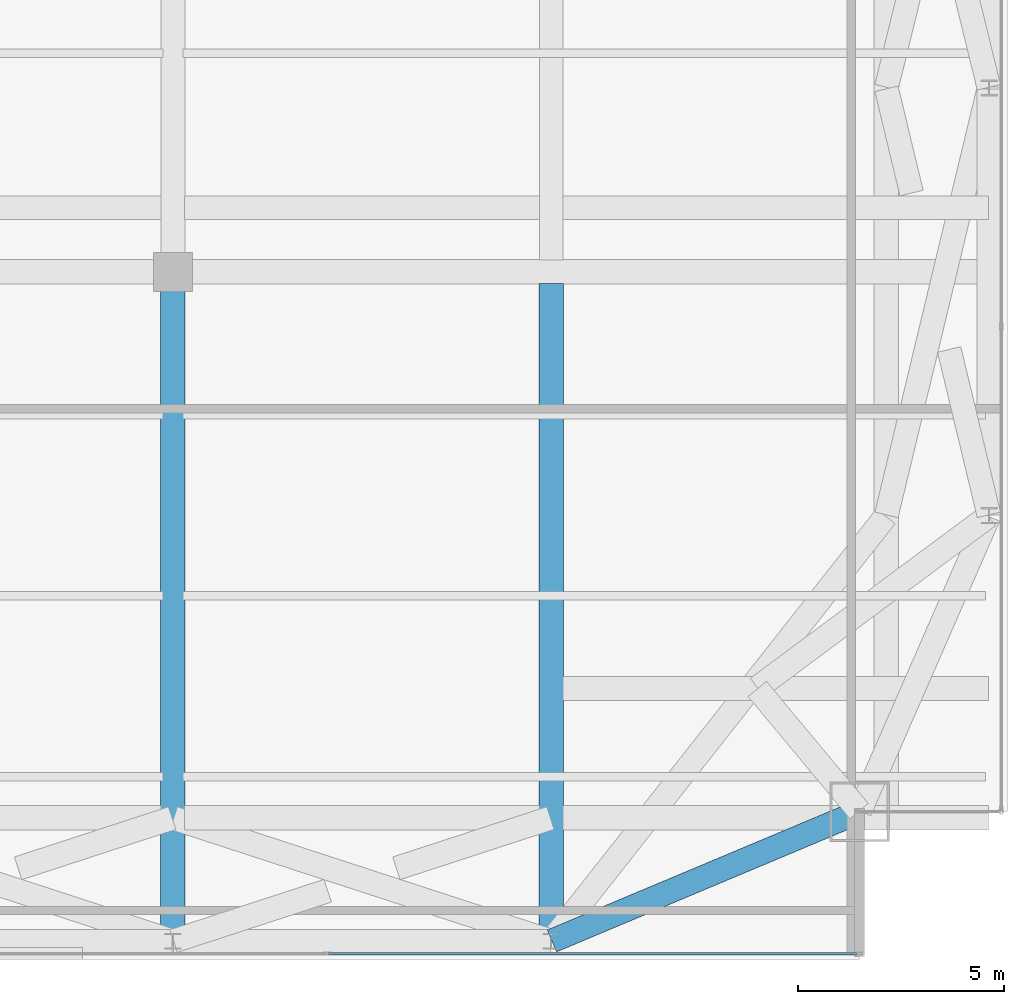
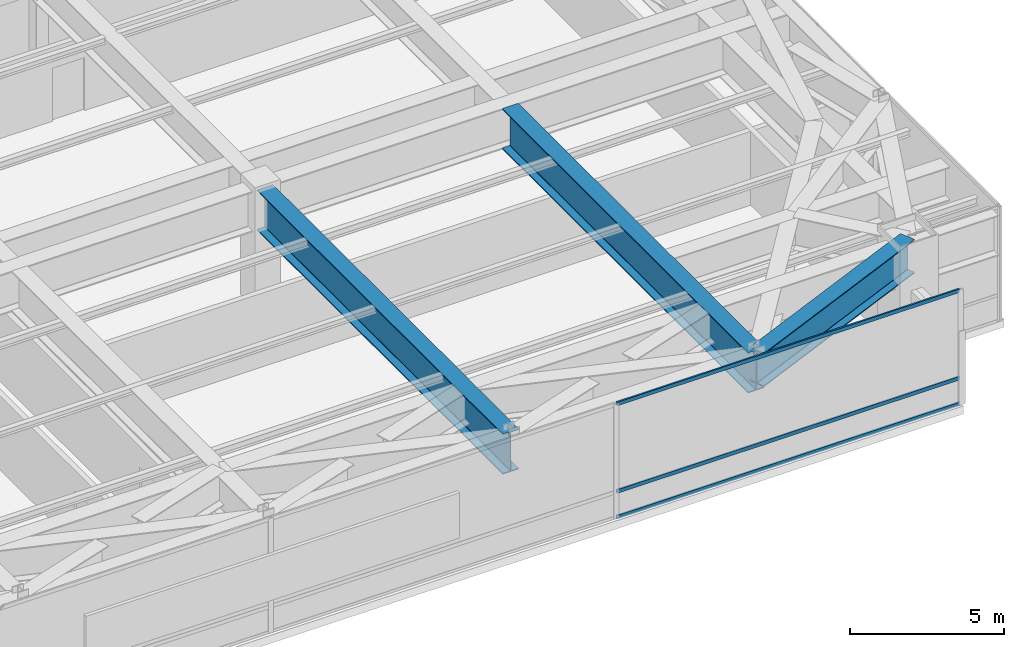
# One storey, part 13 of 32: 3 beams, 3 members, 1 element without a shape of its own.
"""IFC4 building model written with IfcOpenShell, lengths in metres."""

import ifcopenshell
import ifcopenshell.guid

model = None  # the IFC model being written
_history = None  # IfcOwnerHistory: only IFC2X3 demands one
_inside = {}  # id of a spatial element -> (the spatial element, [elements in it])
_under = {}  # id of a project, library or spatial element -> (it, [spatial elements below it])
_declared = {}  # id of a project -> (the project, [libraries it declares])
_typed = {}  # id of a type object -> (the type object, [elements of that type])
_made_of = {}  # id of a material, layer set ... -> (it, [elements and type objects made of it])


def new_model(schema):
    """Start an empty IFC model of exactly this schema.

    Asked for "IFC4X3", IfcOpenShell would pick the latest addendum, in which some entities
    have other attributes; the version numbers below select the first issue.
    IFC2X3 requires an IfcOwnerHistory on every rooted entity: one is made here for all.
    """
    global model, _history
    if schema == "IFC4X3":
        model = ifcopenshell.file(schema_version=(4, 3, 0, 0))
    else:
        model = ifcopenshell.file(schema=schema)
    _inside.clear()
    _under.clear()
    _declared.clear()
    _typed.clear()
    _made_of.clear()
    _history = None
    if model.schema == "IFC2X3":
        org = make("IfcOrganization", Name="unknown")
        user = make(
            "IfcPersonAndOrganization",
            ThePerson=make("IfcPerson", FamilyName="unknown"),
            TheOrganization=org,
        )
        app = make(
            "IfcApplication",
            ApplicationDeveloper=org,
            Version="unknown",
            ApplicationFullName="unknown",
            ApplicationIdentifier="unknown",
        )
        _history = make(
            "IfcOwnerHistory",
            OwningUser=user,
            OwningApplication=app,
            ChangeAction="ADDED",
            CreationDate=0,
        )
    return model


def make(cls, **values):
    """One entity of the class cls with the attributes given. An attribute that is None is left unset."""
    return model.create_entity(
        cls, **{name: value for name, value in values.items() if value is not None}
    )


def rooted(cls, **values):
    """An entity with a GlobalId (a new one), such as an element, a storey or a relation."""
    return make(cls, GlobalId=ifcopenshell.guid.new(), OwnerHistory=_history, **values)


def si_unit(unit_type, name, prefix=None):
    """IfcSIUnit, for example si_unit("LENGTHUNIT", "METRE", prefix="MILLI")."""
    return make("IfcSIUnit", UnitType=unit_type, Prefix=prefix, Name=name)


def assignment(units):
    """IfcUnitAssignment: the units of a project."""
    return None if units is None else make("IfcUnitAssignment", Units=units)


def point(xyz):
    """IfcCartesianPoint."""
    return None if xyz is None else make("IfcCartesianPoint", Coordinates=xyz)


def direction(xyz):
    """IfcDirection."""
    return None if xyz is None else make("IfcDirection", DirectionRatios=xyz)


def frame(location, z_axis=None, x_axis=None):
    """IfcAxis2Placement3D, a coordinate frame: its origin and axes. An axis left out is left unset."""
    return make(
        "IfcAxis2Placement3D",
        Location=point(location),
        Axis=direction(z_axis),
        RefDirection=direction(x_axis),
    )


def frame_2d(location, x_axis=None):
    """IfcAxis2Placement2D, a coordinate frame in the plane: its origin and x axis."""
    return make(
        "IfcAxis2Placement2D", Location=point(location), RefDirection=direction(x_axis)
    )


def origin():
    """The frame at (0, 0, 0) with its axes left unset."""
    return frame((0.0, 0.0, 0.0))


def origin_2d():
    """The frame at (0, 0) in the plane with its x axis left unset."""
    return frame_2d((0.0, 0.0))


def place(relative_to, where):
    """IfcLocalPlacement: puts the frame where relative to a parent placement (None: the world)."""
    return make(
        "IfcLocalPlacement", PlacementRelTo=relative_to, RelativePlacement=where
    )


def context(
    kind, dimensions, precision=None, world=None, true_north=None, identifier=None
):
    """IfcGeometricRepresentationContext, for example the 3D "Model" context."""
    return make(
        "IfcGeometricRepresentationContext",
        ContextIdentifier=identifier,
        ContextType=kind,
        CoordinateSpaceDimension=dimensions,
        Precision=precision,
        WorldCoordinateSystem=world,
        TrueNorth=true_north,
    )


def subcontext(parent, identifier, kind, view, scale=None):
    """IfcGeometricRepresentationSubContext, for example "Body" below "Model"."""
    return make(
        "IfcGeometricRepresentationSubContext",
        ContextIdentifier=identifier,
        ContextType=kind,
        ParentContext=parent,
        TargetScale=scale,
        TargetView=view,
    )


def project(units=None, contexts=None):
    """IfcProject with its units and contexts."""
    return rooted(
        "IfcProject",
        Name="project",
        RepresentationContexts=contexts,
        UnitsInContext=assignment(units),
    )


def spatial(cls, under=None, at=None, **own):
    """A site, building, storey or space (cls), placed at a placement, below another one or the project."""
    s = rooted(cls, ObjectPlacement=at, **own)
    if under is not None:
        _under.setdefault(under.id(), (under, []))[1].append(s)
    return s


def profile(cls, at=None, kind="AREA", **sizes):
    """A parametric profile (cls). Its sizes go by their IFC names, for example OverallWidth=200.0."""
    return make(cls, ProfileType=kind, Position=at, **sizes)


def hollow_rectangle(**sizes):
    """IfcRectangleHollowProfileDef."""
    return profile("IfcRectangleHollowProfileDef", **sizes)


def i_section(**sizes):
    """IfcIShapeProfileDef."""
    return profile("IfcIShapeProfileDef", **sizes)


def extrude(swept, where, along, depth):
    """IfcExtrudedAreaSolid: the profile swept, set in the frame where, extruded along a direction by depth."""
    return make(
        "IfcExtrudedAreaSolid",
        SweptArea=swept,
        Position=where,
        ExtrudedDirection=direction(along),
        Depth=depth,
    )


def shape(context_of_items, identifier, shape_type, items):
    """IfcShapeRepresentation: the items that make up one representation, for example the "Body"."""
    return make(
        "IfcShapeRepresentation",
        ContextOfItems=context_of_items,
        RepresentationIdentifier=identifier,
        RepresentationType=shape_type,
        Items=items,
    )


def source(mapping_origin, context_of_items, identifier, shape_type, items):
    """IfcRepresentationMap: a shape defined once, which mapped items show again and again."""
    return make(
        "IfcRepresentationMap",
        MappingOrigin=mapping_origin,
        MappedRepresentation=shape(context_of_items, identifier, shape_type, items),
    )


def transform(
    local_origin,
    x_axis=None,
    y_axis=None,
    z_axis=None,
    scale=None,
    scale2=None,
    scale3=None,
    uniform=True,
):
    """IfcCartesianTransformationOperator3D, or its non-uniform kind. x_axis, y_axis, z_axis: its Axis1, 2, 3."""
    if uniform:
        return make(
            "IfcCartesianTransformationOperator3D",
            Axis1=direction(x_axis),
            Axis2=direction(y_axis),
            LocalOrigin=point(local_origin),
            Scale=scale,
            Axis3=direction(z_axis),
        )
    return make(
        "IfcCartesianTransformationOperator3DnonUniform",
        Axis1=direction(x_axis),
        Axis2=direction(y_axis),
        LocalOrigin=point(local_origin),
        Scale=scale,
        Axis3=direction(z_axis),
        Scale2=scale2,
        Scale3=scale3,
    )


def mapped(mapping_source, mapping_target):
    """IfcMappedItem: shows the shape of a source again, moved by a transform."""
    return make(
        "IfcMappedItem", MappingSource=mapping_source, MappingTarget=mapping_target
    )


def material(Name=None, Category=None):
    """IfcMaterial."""
    return make("IfcMaterial", Name=Name, Category=Category)


def layer(
    of_material, thickness, ventilated=None, Name=None, Category=None, Priority=None
):
    """IfcMaterialLayer: one layer of a wall or slab, of a material (None: an air gap)."""
    return make(
        "IfcMaterialLayer",
        Material=of_material,
        LayerThickness=thickness,
        IsVentilated=ventilated,
        Name=Name,
        Category=Category,
        Priority=Priority,
    )


def layer_set(layers, Name=None):
    """IfcMaterialLayerSet."""
    return make("IfcMaterialLayerSet", MaterialLayers=layers, LayerSetName=Name)


def material_profile(
    of_material, cross_section, Name=None, Category=None, Priority=None
):
    """IfcMaterialProfile: a cross section and its material."""
    return make(
        "IfcMaterialProfile",
        Name=Name,
        Material=of_material,
        Profile=cross_section,
        Priority=Priority,
        Category=Category,
    )


def profile_set(profiles, Name=None, composite=None):
    """IfcMaterialProfileSet."""
    return make(
        "IfcMaterialProfileSet",
        Name=Name,
        MaterialProfiles=profiles,
        CompositeProfile=composite,
    )


def made_of(thing, what):
    """Note that an element or type object is made of a material, layer set ...; save() writes the relation."""
    if what is not None:
        _made_of.setdefault(what.id(), (what, []))[1].append(thing)
    return thing


def type_object(cls, material=None, **own):
    """A type object (cls), such as IfcWallType, which elements share."""
    return made_of(rooted(cls, **own), material)


def type_shapes(of_type, sources):
    """Give a type object the sources (RepresentationMaps) that its elements show as mapped items."""
    of_type.RepresentationMaps = sources


def element(
    cls,
    number,
    at=None,
    inside=None,
    cuts=None,
    type_object=None,
    material=None,
    context=None,
    identifier="Body",
    shape_type=None,
    held_by="IfcProductDefinitionShape",
    body=None,
    shapes=None,
    **own,
):
    """One element of the class cls, such as IfcWall. Its Tag is "e" and its number.

    at: its placement. inside: the storey or other place that contains it. cuts: it is an
    opening in that element (IfcRelVoidsElement). A single representation is given by context,
    identifier, shape_type and body (its items); several are given by shapes. held_by: the class
    of the entity that holds the representations. save() writes the other relations.
    """
    e = rooted(cls, Tag="e%d" % number, ObjectPlacement=at, **own)
    if body is not None:
        shapes = [shape(context, identifier, shape_type, body)]
    if shapes is not None:
        e.Representation = make(held_by, Representations=shapes)
    if inside is not None:
        _inside.setdefault(inside.id(), (inside, []))[1].append(e)
    if cuts is not None:
        rooted(
            "IfcRelVoidsElement", RelatingBuildingElement=cuts, RelatedOpeningElement=e
        )
    if type_object is not None:
        _typed.setdefault(type_object.id(), (type_object, []))[1].append(e)
    return made_of(e, material)


def aggregate(whole, parts):
    """IfcRelAggregates: a whole, such as a stair, and the parts it consists of."""
    return rooted("IfcRelAggregates", RelatingObject=whole, RelatedObjects=parts)


def save(model, path):
    """Write the relations noted so far, then the file.

    IfcRelAggregates (storeys below a building ...), IfcRelContainedInSpatialStructure (elements
    in a storey), IfcRelDefinesByType, IfcRelAssociatesMaterial and IfcRelDeclares: one each for
    every whole, place, type object, material and project.
    """
    for whole, parts in _under.values():
        aggregate(whole, parts)
    for where, things in _inside.values():
        rooted(
            "IfcRelContainedInSpatialStructure",
            RelatedElements=things,
            RelatingStructure=where,
        )
    for kind, things in _typed.values():
        rooted("IfcRelDefinesByType", RelatedObjects=things, RelatingType=kind)
    for what, things in _made_of.values():
        rooted("IfcRelAssociatesMaterial", RelatedObjects=things, RelatingMaterial=what)
    for by, libraries in _declared.values():
        rooted("IfcRelDeclares", RelatingContext=by, RelatedDefinitions=libraries)
    model.write(path)


model = new_model("IFC4")

# Units and contexts
model_context = context("Model", 3, precision=1e-05, world=origin(), true_north=direction((0.0, 1.0)))
body_context = subcontext(model_context, "Body", "Model", "MODEL_VIEW")
ifc_project = project(units=[si_unit("LENGTHUNIT", "METRE"), si_unit("AREAUNIT", "SQUARE_METRE"), si_unit("VOLUMEUNIT", "CUBIC_METRE"), si_unit("PLANEANGLEUNIT", "RADIAN"), si_unit("MASSUNIT", "GRAM", prefix="KILO")], contexts=[model_context])

# Site, building, storey
site_placement = place(None, origin())
site = spatial("IfcSite", under=ifc_project, at=site_placement, CompositionType="ELEMENT")
building_placement = place(site_placement, origin())
building = spatial("IfcBuilding", under=site, at=building_placement, Name="Varnel Quay Broadcast Tower", CompositionType="ELEMENT")
storey_placement = place(building_placement, frame((0.0, 0.0, 141.0)))
storey = spatial("IfcBuildingStorey", under=building, at=storey_placement, Name="L34", CompositionType="ELEMENT", Elevation=141.0)

# Beams
ifc_material_1 = material(Name="Structural Steel CSA G40.21 350WT", Category="steel")
ifc_material_profile_1 = material_profile(ifc_material_1, i_section(OverallWidth=0.580078125, OverallDepth=1.330078125, WebThickness=0.02197265625, FlangeThickness=0.0380859375, FilletRadius=0.02001953125, at=origin_2d()), Name="WWF1330X535")
ifc_profile_set_1 = profile_set([ifc_material_profile_1], Name="Structural Steel CSA G40.21 350WT")
beam_type_1 = type_object("IfcBeamType", Name="Girder_WWF1330X535", PredefinedType="BEAM", material=ifc_profile_set_1)
shared_shape_1 = source(origin(), body_context, "Body", "SweptSolid", [
    extrude(i_section(OverallWidth=0.580078125, OverallDepth=1.330078125, WebThickness=0.02197265625, FlangeThickness=0.0380859375, FilletRadius=0.02001953125, at=origin_2d()), origin(), (0.0, 0.0, 1.0), 8.0947265625),
])
type_shapes(beam_type_1, [shared_shape_1])
beam_placement = place(storey_placement, frame((52.41845703125, 4.65771484375, 3.885009765625), z_axis=(0.921981890247, 0.387232997117, 0.0), x_axis=(-0.387232997117, 0.921981890247, 0.0)))
element("IfcBeam", 1, at=beam_placement, inside=storey, type_object=beam_type_1, Name="L34 Perimeter Transfer Spine TC-S5-MC-SE", PredefinedType="BEAM", context=body_context, shape_type="MappedRepresentation", body=[
    mapped(shared_shape_1, transform((0.0, 0.0, 0.0), x_axis=(1.0, 0.0, 0.0), y_axis=(0.0, 1.0, 0.0), z_axis=(0.0, 0.0, 1.0), scale=1.0)),
])
ifc_material_profile_2 = material_profile(ifc_material_1, i_section(OverallWidth=0.60009765625, OverallDepth=1.60009765625, WebThickness=0.02392578125, FlangeThickness=0.0419921875, FilletRadius=0.02197265625, at=origin_2d()), Name="WWF1600X620")
ifc_profile_set_2 = profile_set([ifc_material_profile_2], Name="Structural Steel CSA G40.21 350WT")
beam_type_2 = type_object("IfcBeamType", Name="Girder_WWF1600X620", PredefinedType="BEAM", material=ifc_profile_set_2)
shared_shape_2 = source(origin(), body_context, "Body", "SweptSolid", [
    extrude(i_section(OverallWidth=0.60009765625, OverallDepth=1.60009765625, WebThickness=0.02392578125, FlangeThickness=0.0419921875, FilletRadius=0.02197265625, at=origin_2d()), origin(), (0.0, 0.0, 1.0), 15.97509765625),
])
type_shapes(beam_type_2, [shared_shape_2])
for number, where, z_axis, x_axis, name in (
    (2, (43.199951171875, 4.669921875, 3.75), (0.0, 1.0, 0.0), (-1.0, 0.0, 0.0), "L34 N-S Transfer Girder 4A"),
    (3, (52.39990234375, 4.669921875, 3.75), (0.0, 1.0, 0.0), (-1.0, 0.0, 0.0), "L34 N-S Transfer Girder 5A"),
):
    element("IfcBeam", number, at=place(storey_placement, frame(where, z_axis=z_axis, x_axis=x_axis)), inside=storey, type_object=beam_type_2, Name=name, PredefinedType="BEAM", context=body_context, shape_type="MappedRepresentation", body=[
        mapped(shared_shape_2, transform((0.0, 0.0, 0.0), x_axis=(1.0, 0.0, 0.0), y_axis=(0.0, 1.0, 0.0), z_axis=(0.0, 0.0, 1.0), scale=1.0)),
    ])

# Curtain wall, members
ifc_material_2 = material(Name="Anodised Bronze Aluminium 6063-T6", Category="aluminium")
ifc_layer = layer(ifc_material_2, 0.18994140625, Name="Anodised Bronze Aluminium 6063-T6")
ifc_layer_set = layer_set([ifc_layer], Name="Anodised Bronze Aluminium 6063-T6")
curtain_wall_type = type_object("IfcCurtainWallType", Name="CW_LowerTower", PredefinedType="NOTDEFINED", material=ifc_layer_set)
curtain_wall_placement = place(storey_placement, origin())
curtain_wall = element("IfcCurtainWall", 4, at=curtain_wall_placement, inside=storey, type_object=curtain_wall_type, Name="L34 South Unitised Curtain Wall 1", PredefinedType="NOTDEFINED")
ifc_material_profile_3 = material_profile(ifc_material_2, hollow_rectangle(XDim=0.06005859375, YDim=0.14501953125, WallThickness=0.00341796875, at=origin_2d()), Name="ALU60X145X3.5")
ifc_profile_set_3 = profile_set([ifc_material_profile_3], Name="Anodised Bronze Aluminium 6063-T6")
member_type = type_object("IfcMemberType", Name="Tran_CWS-02", PredefinedType="USERDEFINED", material=ifc_profile_set_3)
shared_shape_3 = source(origin(), body_context, "Body", "SweptSolid", [
    extrude(hollow_rectangle(XDim=0.06005859375, YDim=0.14501953125, WallThickness=0.00341796875, at=origin_2d()), origin(), (0.0, 0.0, 1.0), 12.844970703125),
])
type_shapes(member_type, [shared_shape_3])
member_1_placement = place(storey_placement, frame((46.985107421875, 4.35009765625, 0.030029296875), z_axis=(1.0, 0.0, 0.0), x_axis=(0.0, 1.0, 0.0)))
member_1 = element("IfcMember", 5, at=member_1_placement, type_object=member_type, Name="CWS-02 transom 4.1", ObjectType="TRANSOM", PredefinedType="USERDEFINED", context=body_context, shape_type="MappedRepresentation", body=[
    mapped(shared_shape_3, transform((0.0, 0.0, 0.0), x_axis=(1.0, 0.0, 0.0), y_axis=(0.0, 1.0, 0.0), z_axis=(0.0, 0.0, 1.0), scale=1.0)),
])
member_2_placement = place(storey_placement, frame((46.985107421875, 4.35009765625, 1.050048828125), z_axis=(1.0, 0.0, 0.0), x_axis=(0.0, 1.0, 0.0)))
member_2 = element("IfcMember", 6, at=member_2_placement, type_object=member_type, Name="CWS-02 transom 4.2", ObjectType="TRANSOM", PredefinedType="USERDEFINED", context=body_context, shape_type="MappedRepresentation", body=[
    mapped(shared_shape_3, transform((0.0, 0.0, 0.0), x_axis=(1.0, 0.0, 0.0), y_axis=(0.0, 1.0, 0.0), z_axis=(0.0, 0.0, 1.0), scale=1.0)),
])
member_3_placement = place(storey_placement, frame((46.985107421875, 4.35009765625, 4.52001953125), z_axis=(1.0, 0.0, 0.0), x_axis=(0.0, 1.0, 0.0)))
member_3 = element("IfcMember", 7, at=member_3_placement, type_object=member_type, Name="CWS-02 transom 4.3", ObjectType="TRANSOM", PredefinedType="USERDEFINED", context=body_context, shape_type="MappedRepresentation", body=[
    mapped(shared_shape_3, transform((0.0, 0.0, 0.0), x_axis=(1.0, 0.0, 0.0), y_axis=(0.0, 1.0, 0.0), z_axis=(0.0, 0.0, 1.0), scale=1.0)),
])
aggregate(curtain_wall, [member_1, member_2, member_3])

save(model, "model.ifc")
